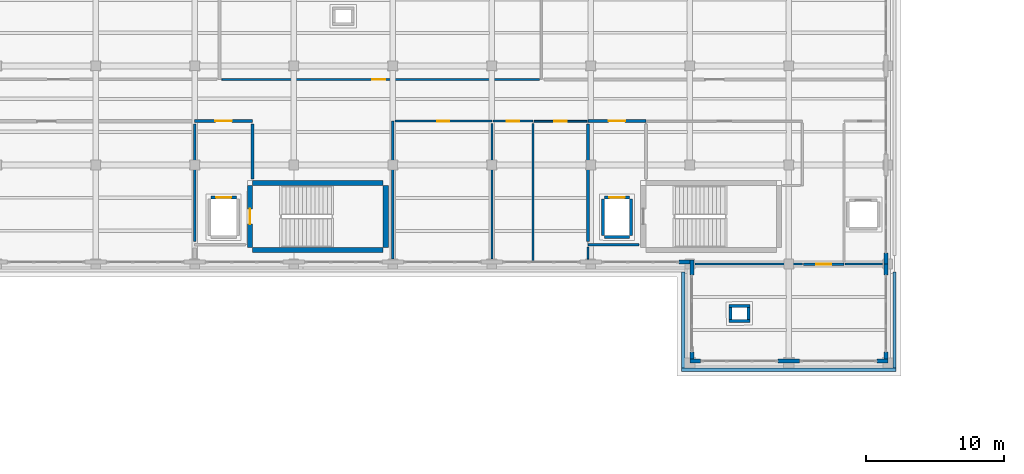
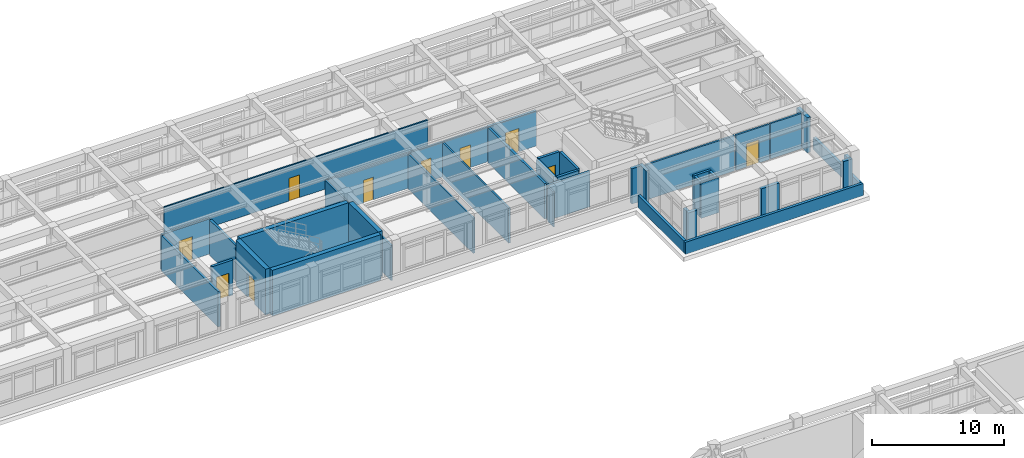
# One storey, part 50 of 64: 42 walls, 10 doors, 10 openings.
"""IFC4 building model written with IfcOpenShell, lengths in metres."""

from ifc_helpers import new_model, si_unit, direction, frame, frame_2d, origin, place, context, subcontext, project, spatial, rectangle, extrude, material, layer, layer_set, type_object, element, fill, save


model = new_model("IFC4")

# Units and contexts
model_context = context("Model", 3, precision=1e-05, world=origin(), true_north=direction((0.0, 1.0)))
body_context = subcontext(model_context, "Body", "Model", "MODEL_VIEW")
ifc_project = project(units=[si_unit("LENGTHUNIT", "METRE"), si_unit("AREAUNIT", "SQUARE_METRE"), si_unit("VOLUMEUNIT", "CUBIC_METRE"), si_unit("PLANEANGLEUNIT", "RADIAN"), si_unit("MASSUNIT", "GRAM", prefix="KILO")], contexts=[model_context])

# Site, building, storey
site_placement = place(None, origin())
site = spatial("IfcSite", under=ifc_project, at=site_placement, CompositionType="ELEMENT")
building_placement = place(site_placement, origin())
building = spatial("IfcBuilding", under=site, at=building_placement, Name="Solenvale Faculty of Natural Sciences", CompositionType="ELEMENT")
storey_placement = place(building_placement, frame((0.0, 0.0, 18.0)))
storey = spatial("IfcBuildingStorey", under=building, at=storey_placement, Name="L04", CompositionType="ELEMENT", Elevation=18.0)

# Walls
ifc_material_1 = material(Name="Precast concrete 40 MPa", Category="concrete")
ifc_layer_1 = layer(ifc_material_1, 0.284912109375)
ifc_layer_set_1 = layer_set([ifc_layer_1], Name="Precast concrete 40 MPa")
wall_type_1 = type_object("IfcWallType", Name="WL-EXT-PRC-285", PredefinedType="STANDARD", material=ifc_layer_set_1)
wall_1_placement = place(storey_placement, frame((136.800048828125, 86.54248046875, 0.0), z_axis=(0.0, 0.0, 1.0), x_axis=(1.0, 0.0, 0.0)))
element("IfcWall", 1, at=wall_1_placement, inside=storey, type_object=wall_type_1, Name="L04 Facade Closure Pier 1.B1-L", PredefinedType="STANDARD", context=body_context, shape_type="SweptSolid", body=[
    extrude(rectangle(XDim=0.787841796875, YDim=0.284912109375, at=frame_2d((0.39404296875, 0.0))), origin(), (0.0, 0.0, 1.0), 3.260009765625),
])
wall_2_placement = place(storey_placement, frame((143.2119140625, 86.54248046875, 0.0), z_axis=(0.0, 0.0, 1.0), x_axis=(1.0, 0.0, 0.0)))
element("IfcWall", 2, at=wall_2_placement, inside=storey, type_object=wall_type_1, Name="L04 Facade Closure Pier 1.B1-R", PredefinedType="STANDARD", context=body_context, shape_type="SweptSolid", body=[
    extrude(rectangle(XDim=1.576171875, YDim=0.284912109375, at=frame_2d((0.7880859375, 0.0))), origin(), (0.0, 0.0, 1.0), 3.260009765625),
])
wall_3_placement = place(storey_placement, frame((150.412109375, 86.54248046875, 0.0), z_axis=(0.0, 0.0, 1.0), x_axis=(1.0, 0.0, 0.0)))
element("IfcWall", 3, at=wall_3_placement, inside=storey, type_object=wall_type_1, Name="L04 Facade Closure Pier 1.B2-R", PredefinedType="STANDARD", context=body_context, shape_type="SweptSolid", body=[
    extrude(rectangle(XDim=0.787841796875, YDim=0.284912109375, at=frame_2d((0.39404296875, 0.0))), origin(), (0.0, 0.0, 1.0), 3.260009765625),
])
wall_4_placement = place(storey_placement, frame((151.0576171875, 86.68505859375, 0.0), z_axis=(0.0, 0.0, 1.0), x_axis=(0.0, 1.0, 0.0)))
element("IfcWall", 4, at=wall_4_placement, inside=storey, type_object=wall_type_1, Name="L04 Facade Closure Pier 2.B1-L", PredefinedType="STANDARD", context=body_context, shape_type="SweptSolid", body=[
    extrude(rectangle(XDim=0.5029296875, YDim=0.284912109375, at=frame_2d((0.25146484375, 0.0))), origin(), (0.0, 0.0, 1.0), 3.260009765625),
])
wall_5_placement = place(storey_placement, frame((151.0576171875, 92.81201171875, 0.0), z_axis=(0.0, 0.0, 1.0), x_axis=(0.0, 1.0, 0.0)))
element("IfcWall", 5, at=wall_5_placement, inside=storey, type_object=wall_type_1, Name="L04 Facade Closure Pier 2.B1-R", PredefinedType="STANDARD", context=body_context, shape_type="SweptSolid", body=[
    extrude(rectangle(XDim=0.7880859375, YDim=0.284912109375, at=frame_2d((0.39404296875, 0.0))), origin(), (0.0, 0.0, 1.0), 3.260009765625),
])
wall_6_placement = place(storey_placement, frame((151.0576171875, 93.60009765625, 0.0), z_axis=(0.0, 0.0, 1.0), x_axis=(0.0, 1.0, 0.0)))
element("IfcWall", 6, at=wall_6_placement, inside=storey, type_object=wall_type_1, Name="L04 Facade Closure Pier 3.B1-L", PredefinedType="STANDARD", context=body_context, shape_type="SweptSolid", body=[
    extrude(rectangle(XDim=0.787841796875, YDim=0.284912109375, at=frame_2d((0.39404296875, 0.0))), origin(), (0.0, 0.0, 1.0), 3.260009765625),
])
wall_7_placement = place(storey_placement, frame((136.011962890625, 93.742431640625, 0.0), z_axis=(0.0, 0.0, 1.0), x_axis=(1.0, 0.0, 0.0)))
element("IfcWall", 7, at=wall_7_placement, inside=storey, type_object=wall_type_1, Name="L04 Facade Closure Pier 6.B8-R", PredefinedType="STANDARD", context=body_context, shape_type="SweptSolid", body=[
    extrude(rectangle(XDim=0.7880859375, YDim=0.284912109375, at=frame_2d((0.39404296875, 0.0))), origin(), (0.0, 0.0, 1.0), 3.260009765625),
])
wall_8_placement = place(storey_placement, frame((136.9423828125, 93.885009765625, 0.0), z_axis=(0.0, 0.0, 1.0), x_axis=(0.0, -1.0, 0.0)))
element("IfcWall", 8, at=wall_8_placement, inside=storey, type_object=wall_type_1, Name="L04 Facade Closure Pier 7.B1-L", PredefinedType="STANDARD", context=body_context, shape_type="SweptSolid", body=[
    extrude(rectangle(XDim=1.072998046875, YDim=0.284912109375, at=frame_2d((0.53662109375, 0.0))), origin(), (0.0, 0.0, 1.0), 3.260009765625),
])
wall_9_placement = place(storey_placement, frame((136.9423828125, 87.18798828125, 0.0), z_axis=(0.0, 0.0, 1.0), x_axis=(0.0, -1.0, 0.0)))
element("IfcWall", 9, at=wall_9_placement, inside=storey, type_object=wall_type_1, Name="L04 Facade Closure Pier 7.B1-R", PredefinedType="STANDARD", context=body_context, shape_type="SweptSolid", body=[
    extrude(rectangle(XDim=0.5029296875, YDim=0.284912109375, at=frame_2d((0.25146484375, 0.0))), origin(), (0.0, 0.0, 1.0), 3.260009765625),
])

# Wall, opening, door
ifc_material_2 = material(Name="Gypsum fire-rated shaftwall")
ifc_layer_2 = layer(ifc_material_2, 0.205078125)
ifc_layer_set_2 = layer_set([ifc_layer_2], Name="Gypsum fire-rated shaftwall")
wall_type_2 = type_object("IfcWallType", Name="WL-FFL-205", PredefinedType="PARTITIONING", material=ifc_layer_set_2)
wall_10_placement = place(storey_placement, frame((100.800048828125, 104.0, 0.0), z_axis=(0.0, 0.0, 1.0), x_axis=(1.0, 0.0, 0.0)))
wall_10 = element("IfcWall", 10, at=wall_10_placement, inside=storey, type_object=wall_type_2, Name="L04 Firefighting Lobby C4 Partition 1", PredefinedType="PARTITIONING", context=body_context, shape_type="SweptSolid", body=[
    extrude(rectangle(XDim=4.199951171875, YDim=0.205078125, at=frame_2d((2.10009765625, 0.0))), origin(), (0.0, 0.0, 1.0), 3.260009765625),
])
opening_1_placement = place(wall_10_placement, frame((1.5, 0.0, 0.0)))
opening_1 = element("IfcOpeningElement", 11, at=opening_1_placement, cuts=wall_10, Name="Opening D-L04-01", PredefinedType="OPENING", context=body_context, shape_type="SweptSolid", body=[
    extrude(rectangle(XDim=1.199951171875, YDim=2.14990234375, at=frame_2d((0.60009765625, 1.074951171875))), frame((0.0, 0.112548828125, 0.0), z_axis=(0.0, -1.0, 0.0), x_axis=(1.0, 0.0, 0.0)), (0.0, 0.0, 1.0), 0.22509765625),
])
ifc_material_3 = material(Name="Galvanised steel S355", Category="steel")
door_type_1 = type_object("IfcDoorType", Name="DR-FFL-1200x2150", OperationType="NOTDEFINED", PredefinedType="DOOR", material=ifc_material_3)
door_1_placement = place(opening_1_placement, origin())
door_1 = element("IfcDoor", 12, at=door_1_placement, inside=storey, type_object=door_type_1, Name="L04 Firefighting Lobby C4 Door", OperationType="SINGLE_SWING_LEFT", OverallHeight=2.14990234375, OverallWidth=1.199951171875, PredefinedType="DOOR", context=body_context, shape_type="SweptSolid", body=[
    extrude(rectangle(XDim=1.199951171875, YDim=2.14990234375, at=frame_2d((0.60009765625, 1.074951171875))), frame((0.0, 0.02490234375, 0.0), z_axis=(0.0, -1.0, 0.0), x_axis=(1.0, 0.0, 0.0)), (0.0, 0.0, 1.0), 0.050048828125),
])
fill(opening_1, door_1)

# Walls
wall_11_placement = place(storey_placement, frame((105.0, 103.782958984375, 0.0), z_axis=(0.0, 0.0, 1.0), x_axis=(0.0, -1.0, 0.0)))
element("IfcWall", 13, at=wall_11_placement, inside=storey, type_object=wall_type_2, Name="L04 Firefighting Lobby C4 Partition 2", PredefinedType="PARTITIONING", context=body_context, shape_type="SweptSolid", body=[
    extrude(rectangle(XDim=3.989013671875, YDim=0.205078125, at=frame_2d((1.99462890625, 0.0))), origin(), (0.0, 0.0, 1.0), 3.260009765625),
])
wall_12_placement = place(storey_placement, frame((100.800048828125, 95.217041015625, 0.0), z_axis=(0.0, 0.0, 1.0), x_axis=(0.0, 1.0, 0.0)))
element("IfcWall", 14, at=wall_12_placement, inside=storey, type_object=wall_type_2, Name="L04 Firefighting Lobby C4 Partition 21", PredefinedType="PARTITIONING", context=body_context, shape_type="SweptSolid", body=[
    extrude(rectangle(XDim=8.56591796875, YDim=0.205078125, at=frame_2d((4.282958984375, 0.0))), origin(), (0.0, 0.0, 1.0), 3.260009765625),
])

# Wall, opening, door
wall_13_placement = place(storey_placement, frame((129.39990234375, 104.0, 0.0), z_axis=(0.0, 0.0, 1.0), x_axis=(1.0, 0.0, 0.0)))
wall_13 = element("IfcWall", 15, at=wall_13_placement, inside=storey, type_object=wall_type_2, Name="L04 Firefighting Lobby C5 Partition 1", PredefinedType="PARTITIONING", context=body_context, shape_type="SweptSolid", body=[
    extrude(rectangle(XDim=4.2001953125, YDim=0.205078125, at=frame_2d((2.10009765625, 0.0))), origin(), (0.0, 0.0, 1.0), 3.260009765625),
])
opening_2_placement = place(wall_13_placement, frame((1.5, 0.0, 0.0)))
opening_2 = element("IfcOpeningElement", 16, at=opening_2_placement, cuts=wall_13, Name="Opening D-L04-02", PredefinedType="OPENING", context=body_context, shape_type="SweptSolid", body=[
    extrude(rectangle(XDim=1.199951171875, YDim=2.14990234375, at=frame_2d((0.60009765625, 1.074951171875))), frame((0.0, 0.112548828125, 0.0), z_axis=(0.0, -1.0, 0.0), x_axis=(1.0, 0.0, 0.0)), (0.0, 0.0, 1.0), 0.22509765625),
])
door_2_placement = place(opening_2_placement, origin())
door_2 = element("IfcDoor", 17, at=door_2_placement, inside=storey, type_object=door_type_1, Name="L04 Firefighting Lobby C5 Door", OperationType="SINGLE_SWING_RIGHT", OverallHeight=2.14990234375, OverallWidth=1.199951171875, PredefinedType="DOOR", context=body_context, shape_type="SweptSolid", body=[
    extrude(rectangle(XDim=1.199951171875, YDim=2.14990234375, at=frame_2d((0.60009765625, 1.074951171875))), frame((0.0, 0.02490234375, 0.0), z_axis=(0.0, -1.0, 0.0), x_axis=(1.0, 0.0, 0.0)), (0.0, 0.0, 1.0), 0.050048828125),
])
fill(opening_2, door_2)

# Walls
wall_14_placement = place(storey_placement, frame((133.10595703125, 95.0, 0.0), z_axis=(0.0, 0.0, 1.0), x_axis=(-1.0, 0.0, 0.0)))
element("IfcWall", 18, at=wall_14_placement, inside=storey, type_object=wall_type_2, Name="L04 Firefighting Lobby C5 Partition 20", PredefinedType="PARTITIONING", context=body_context, shape_type="SweptSolid", body=[
    extrude(rectangle(XDim=3.7060546875, YDim=0.205078125, at=frame_2d((1.85302734375, 0.0))), origin(), (0.0, 0.0, 1.0), 3.260009765625),
])
wall_15_placement = place(storey_placement, frame((129.39990234375, 95.217041015625, 0.0), z_axis=(0.0, 0.0, 1.0), x_axis=(0.0, 1.0, 0.0)))
element("IfcWall", 19, at=wall_15_placement, inside=storey, type_object=wall_type_2, Name="L04 Firefighting Lobby C5 Partition 21", PredefinedType="PARTITIONING", context=body_context, shape_type="SweptSolid", body=[
    extrude(rectangle(XDim=8.56591796875, YDim=0.205078125, at=frame_2d((4.282958984375, 0.0))), origin(), (0.0, 0.0, 1.0), 3.260009765625),
])

# Wall, opening, door
ifc_material_4 = material(Name="Acoustic stud gypsum partition")
ifc_layer_3 = layer(ifc_material_4, 0.125)
ifc_layer_set_3 = layer_set([ifc_layer_3], Name="Acoustic stud gypsum partition")
wall_type_3 = type_object("IfcWallType", Name="WL-OFF-125", PredefinedType="PARTITIONING", material=ifc_layer_set_3)
wall_16_placement = place(storey_placement, frame((125.863037109375, 107.02001953125, 0.0), z_axis=(0.0, 0.0, 1.0), x_axis=(-1.0, 0.0, 0.0)))
wall_16 = element("IfcWall", 20, at=wall_16_placement, inside=storey, type_object=wall_type_3, Name="L04 Faculty Staff Office Partition 4", PredefinedType="PARTITIONING", context=body_context, shape_type="SweptSolid", body=[
    extrude(rectangle(XDim=23.095947265625, YDim=0.125, at=frame_2d((11.5478515625, 0.0))), origin(), (0.0, 0.0, 1.0), 3.260009765625),
])
opening_3_placement = place(wall_16_placement, frame((11.22802734375, 0.0, 0.0)))
opening_3 = element("IfcOpeningElement", 21, at=opening_3_placement, cuts=wall_16, Name="Opening D-L04-14", PredefinedType="OPENING", context=body_context, shape_type="SweptSolid", body=[
    extrude(rectangle(XDim=0.93994140625, YDim=2.10009765625, at=frame_2d((0.469970703125, 1.050048828125))), frame((0.0, 0.072509765625, 0.0), z_axis=(0.0, -1.0, 0.0), x_axis=(1.0, 0.0, 0.0)), (0.0, 0.0, 1.0), 0.14501953125),
])
ifc_material_5 = material(Name="Oak acoustic timber leaf", Category="wood")
door_type_2 = type_object("IfcDoorType", Name="DR-OFF-0940x2100", OperationType="NOTDEFINED", PredefinedType="DOOR", material=ifc_material_5)
door_3_placement = place(opening_3_placement, origin())
door_3 = element("IfcDoor", 22, at=door_3_placement, inside=storey, type_object=door_type_2, Name="L04 Faculty Staff Office Door", OperationType="SINGLE_SWING_RIGHT", OverallHeight=2.10009765625, OverallWidth=0.93994140625, PredefinedType="DOOR", context=body_context, shape_type="SweptSolid", body=[
    extrude(rectangle(XDim=0.93994140625, YDim=2.10009765625, at=frame_2d((0.469970703125, 1.050048828125))), frame((0.0, 0.02490234375, 0.0), z_axis=(0.0, -1.0, 0.0), x_axis=(1.0, 0.0, 0.0)), (0.0, 0.0, 1.0), 0.050048828125),
])
fill(opening_3, door_3)

wall_17_placement = place(storey_placement, frame((125.47509765625, 103.97998046875, 0.0), z_axis=(0.0, 0.0, 1.0), x_axis=(1.0, 0.0, 0.0)))
wall_17 = element("IfcWall", 23, at=wall_17_placement, inside=storey, type_object=wall_type_3, Name="L04 Instrument Preparation Room Partition 2", PredefinedType="PARTITIONING", context=body_context, shape_type="SweptSolid", body=[
    extrude(rectangle(XDim=3.850830078125, YDim=0.125, at=frame_2d((1.92529296875, 0.0))), origin(), (0.0, 0.0, 1.0), 3.260009765625),
])
opening_4_placement = place(wall_17_placement, frame((1.465087890625, 0.0, 0.0)))
opening_4 = element("IfcOpeningElement", 24, at=opening_4_placement, cuts=wall_17, Name="Opening D-L04-18", PredefinedType="OPENING", context=body_context, shape_type="SweptSolid", body=[
    extrude(rectangle(XDim=0.919921875, YDim=2.10009765625, at=frame_2d((0.4599609375, 1.050048828125))), frame((0.0, 0.072509765625, 0.0), z_axis=(0.0, -1.0, 0.0), x_axis=(1.0, 0.0, 0.0)), (0.0, 0.0, 1.0), 0.14501953125),
])
door_type_3 = type_object("IfcDoorType", Name="DR-OFF-0920x2100", OperationType="NOTDEFINED", PredefinedType="DOOR", material=ifc_material_5)
door_4_placement = place(opening_4_placement, origin())
door_4 = element("IfcDoor", 25, at=door_4_placement, inside=storey, type_object=door_type_3, Name="L04 Instrument Preparation Room Door", OperationType="SINGLE_SWING_RIGHT", OverallHeight=2.10009765625, OverallWidth=0.919921875, PredefinedType="DOOR", context=body_context, shape_type="SweptSolid", body=[
    extrude(rectangle(XDim=0.919921875, YDim=2.10009765625, at=frame_2d((0.4599609375, 1.050048828125))), frame((0.0, 0.02490234375, 0.0), z_axis=(0.0, -1.0, 0.0), x_axis=(1.0, 0.0, 0.0)), (0.0, 0.0, 1.0), 0.050048828125),
])
fill(opening_4, door_4)

# Walls
wall_18_placement = place(storey_placement, frame((129.39990234375, 94.822998046875, 0.0), z_axis=(0.0, 0.0, 1.0), x_axis=(0.0, -1.0, 0.0)))
element("IfcWall", 26, at=wall_18_placement, inside=storey, type_object=wall_type_3, Name="L04 Instrument Preparation Room Partition 20", PredefinedType="PARTITIONING", context=body_context, shape_type="SweptSolid", body=[
    extrude(rectangle(XDim=0.863037109375, YDim=0.125, at=frame_2d((0.431640625, 0.0))), origin(), (0.0, 0.0, 1.0), 3.260009765625),
])
ifc_material_6 = material(Name="Architectural bronze concrete 40 MPa", Category="concrete")
ifc_layer_4 = layer(ifc_material_6, 0.239990234375)
ifc_layer_set_4 = layer_set([ifc_layer_4], Name="Architectural bronze concrete 40 MPa")
wall_type_4 = type_object("IfcWallType", Name="WL-PAR-BRZ-240", PredefinedType="PARAPET", material=ifc_layer_set_4)
wall_19_placement = place(storey_placement, frame((151.679931640625, 93.0, 0.0), z_axis=(0.0, 0.0, 1.0), x_axis=(0.0, -1.0, 0.0)))
element("IfcWall", 27, at=wall_19_placement, inside=storey, type_object=wall_type_4, Name="L04 Tower Horizontal Concrete Band 10", PredefinedType="PARAPET", context=body_context, shape_type="SweptSolid", body=[
    extrude(rectangle(XDim=6.9599609375, YDim=0.239990234375, at=frame_2d((3.47998046875, 0.0))), origin(), (0.0, 0.0, 1.0), 1.1201171875),
])
wall_20_placement = place(storey_placement, frame((151.800048828125, 85.919921875, 0.0), z_axis=(0.0, 0.0, 1.0), x_axis=(-1.0, 0.0, 0.0)))
element("IfcWall", 28, at=wall_20_placement, inside=storey, type_object=wall_type_4, Name="L04 Tower Horizontal Concrete Band 11", PredefinedType="PARAPET", context=body_context, shape_type="SweptSolid", body=[
    extrude(rectangle(XDim=15.60009765625, YDim=0.239990234375, at=frame_2d((7.800048828125, 0.0))), origin(), (0.0, 0.0, 1.0), 1.1201171875),
])
wall_21_placement = place(storey_placement, frame((136.320068359375, 86.0400390625, 0.0), z_axis=(0.0, 0.0, 1.0), x_axis=(0.0, 1.0, 0.0)))
element("IfcWall", 29, at=wall_21_placement, inside=storey, type_object=wall_type_4, Name="L04 Tower Horizontal Concrete Band 12", PredefinedType="PARAPET", context=body_context, shape_type="SweptSolid", body=[
    extrude(rectangle(XDim=6.9599609375, YDim=0.239990234375, at=frame_2d((3.47998046875, 0.0))), origin(), (0.0, 0.0, 1.0), 1.1201171875),
])
ifc_material_7 = material(Name="Acoustic double-stud gypsum partition")
ifc_layer_5 = layer(ifc_material_7, 0.1650390625)
ifc_layer_set_5 = layer_set([ifc_layer_5], Name="Acoustic double-stud gypsum partition")
wall_type_5 = type_object("IfcWallType", Name="WL-SEM-165", PredefinedType="PARTITIONING", material=ifc_layer_set_5)
wall_22_placement = place(storey_placement, frame((137.179931640625, 93.60009765625, 0.0), z_axis=(0.0, 0.0, 1.0), x_axis=(1.0, 0.0, 0.0)))
element("IfcWall", 30, at=wall_22_placement, inside=storey, type_object=wall_type_5, Name="L04 Seminar Room Partition 3", PredefinedType="PARTITIONING", context=body_context, shape_type="SweptSolid", body=[
    extrude(rectangle(XDim=7.800048828125, YDim=0.1650390625, at=frame_2d((3.89990234375, 0.0))), origin(), (0.0, 0.0, 1.0), 3.260009765625),
])

# Wall, opening, door
wall_23_placement = place(storey_placement, frame((145.074951171875, 93.580078125, 0.0), z_axis=(0.0, 0.0, 1.0), x_axis=(1.0, 0.0, 0.0)))
wall_23 = element("IfcWall", 31, at=wall_23_placement, inside=storey, type_object=wall_type_5, Name="L04 Seminar Room Partition 20", PredefinedType="PARTITIONING", context=body_context, shape_type="SweptSolid", body=[
    extrude(rectangle(XDim=2.925048828125, YDim=0.1650390625, at=frame_2d((1.46240234375, 0.0))), origin(), (0.0, 0.0, 1.0), 3.260009765625),
])
opening_5_placement = place(wall_23_placement, frame((0.923095703125, 0.0, 0.0)))
opening_5 = element("IfcOpeningElement", 32, at=opening_5_placement, cuts=wall_23, Name="Opening D-L04-09", PredefinedType="OPENING", context=body_context, shape_type="SweptSolid", body=[
    extrude(rectangle(XDim=1.080078125, YDim=2.14990234375, at=frame_2d((0.5400390625, 1.074951171875))), frame((0.0, 0.092529296875, 0.0), z_axis=(0.0, -1.0, 0.0), x_axis=(1.0, 0.0, 0.0)), (0.0, 0.0, 1.0), 0.18505859375),
])
door_type_4 = type_object("IfcDoorType", Name="DR-SEM-1080x2150", OperationType="NOTDEFINED", PredefinedType="DOOR", material=ifc_material_5)
door_5_placement = place(opening_5_placement, origin())
door_5 = element("IfcDoor", 33, at=door_5_placement, inside=storey, type_object=door_type_4, Name="L04 Seminar Room Door", OperationType="SINGLE_SWING_LEFT", OverallHeight=2.14990234375, OverallWidth=1.080078125, PredefinedType="DOOR", context=body_context, shape_type="SweptSolid", body=[
    extrude(rectangle(XDim=1.080078125, YDim=2.14990234375, at=frame_2d((0.5400390625, 1.074951171875))), frame((0.0, 0.02490234375, 0.0), z_axis=(0.0, -1.0, 0.0), x_axis=(1.0, 0.0, 0.0)), (0.0, 0.0, 1.0), 0.050048828125),
])
fill(opening_5, door_5)

# Wall
wall_24_placement = place(storey_placement, frame((148.094970703125, 93.60009765625, 0.0), z_axis=(0.0, 0.0, 1.0), x_axis=(1.0, 0.0, 0.0)))
element("IfcWall", 34, at=wall_24_placement, inside=storey, type_object=wall_type_5, Name="L04 Seminar Room Partition 37", PredefinedType="PARTITIONING", context=body_context, shape_type="SweptSolid", body=[
    extrude(rectangle(XDim=2.72509765625, YDim=0.1650390625, at=frame_2d((1.362548828125, 0.0))), origin(), (0.0, 0.0, 1.0), 3.260009765625),
])

# Wall, opening, door
ifc_material_8 = material(Name="Concrete 40 MPa", Category="concrete")
ifc_layer_6 = layer(ifc_material_8, 0.219970703125)
ifc_layer_set_6 = layer_set([ifc_layer_6], Name="Concrete 40 MPa")
wall_type_6 = type_object("IfcWallType", Name="WL-SHF-220", PredefinedType="STANDARD", material=ifc_layer_set_6)
wall_25_placement = place(storey_placement, frame((101.97998046875, 98.429931640625, 0.0), z_axis=(0.0, 0.0, 1.0), x_axis=(1.0, 0.0, 0.0)))
wall_25 = element("IfcWall", 35, at=wall_25_placement, inside=storey, type_object=wall_type_6, Name="Elevator LF-01 L04 Shaft Wall N", PredefinedType="STANDARD", context=body_context, shape_type="SweptSolid", body=[
    extrude(rectangle(XDim=1.840087890625, YDim=0.219970703125, at=frame_2d((0.919921875, 0.0))), origin(), (0.0, 0.0, 1.0), 3.260009765625),
])
opening_6_placement = place(wall_25_placement, frame((0.3701171875, 0.0, 0.0)))
opening_6 = element("IfcOpeningElement", 36, at=opening_6_placement, cuts=wall_25, Name="Opening LD-LF-01-L04", PredefinedType="OPENING", context=body_context, shape_type="SweptSolid", body=[
    extrude(rectangle(XDim=1.10009765625, YDim=2.14990234375, at=frame_2d((0.550048828125, 1.074951171875))), frame((0.0, 0.119873046875, 0.0), z_axis=(0.0, -1.0, 0.0), x_axis=(1.0, 0.0, 0.0)), (0.0, 0.0, 1.0), 0.239990234375),
])
ifc_material_9 = material(Name="Stainless steel Grade 304", Category="steel")
door_type_5 = type_object("IfcDoorType", Name="DR-LIFT-1100x2150", OperationType="NOTDEFINED", PredefinedType="DOOR", material=ifc_material_9)
door_6_placement = place(opening_6_placement, origin())
door_6 = element("IfcDoor", 37, at=door_6_placement, inside=storey, type_object=door_type_5, Name="Elevator LF-01 L04 Sliding Landing Door", OperationType="SLIDING_TO_LEFT", OverallHeight=2.14990234375, OverallWidth=1.10009765625, PredefinedType="DOOR", context=body_context, shape_type="SweptSolid", body=[
    extrude(rectangle(XDim=1.10009765625, YDim=2.14990234375, at=frame_2d((0.550048828125, 1.074951171875))), frame((0.0, 0.02490234375, 0.0), z_axis=(0.0, -1.0, 0.0), x_axis=(1.0, 0.0, 0.0)), (0.0, 0.0, 1.0), 0.050048828125),
])
fill(opening_6, door_6)

# Wall
wall_26_placement = place(storey_placement, frame((130.580078125, 95.570068359375, 0.0), z_axis=(0.0, 0.0, 1.0), x_axis=(1.0, 0.0, 0.0)))
element("IfcWall", 38, at=wall_26_placement, inside=storey, type_object=wall_type_6, Name="Elevator LF-02 L04 Shaft Wall S", PredefinedType="STANDARD", context=body_context, shape_type="SweptSolid", body=[
    extrude(rectangle(XDim=1.83984375, YDim=0.219970703125, at=frame_2d((0.919921875, 0.0))), origin(), (0.0, 0.0, 1.0), 3.260009765625),
])

# Wall, opening, door
wall_27_placement = place(storey_placement, frame((130.580078125, 98.429931640625, 0.0), z_axis=(0.0, 0.0, 1.0), x_axis=(1.0, 0.0, 0.0)))
wall_27 = element("IfcWall", 39, at=wall_27_placement, inside=storey, type_object=wall_type_6, Name="Elevator LF-02 L04 Shaft Wall N", PredefinedType="STANDARD", context=body_context, shape_type="SweptSolid", body=[
    extrude(rectangle(XDim=1.83984375, YDim=0.219970703125, at=frame_2d((0.919921875, 0.0))), origin(), (0.0, 0.0, 1.0), 3.260009765625),
])
opening_7_placement = place(wall_27_placement, frame((0.3701171875, 0.0, 0.0)))
opening_7 = element("IfcOpeningElement", 40, at=opening_7_placement, cuts=wall_27, Name="Opening LD-LF-02-L04", PredefinedType="OPENING", context=body_context, shape_type="SweptSolid", body=[
    extrude(rectangle(XDim=1.10009765625, YDim=2.14990234375, at=frame_2d((0.550048828125, 1.074951171875))), frame((0.0, 0.119873046875, 0.0), z_axis=(0.0, -1.0, 0.0), x_axis=(1.0, 0.0, 0.0)), (0.0, 0.0, 1.0), 0.239990234375),
])
door_7_placement = place(opening_7_placement, origin())
door_7 = element("IfcDoor", 41, at=door_7_placement, inside=storey, type_object=door_type_5, Name="Elevator LF-02 L04 Sliding Landing Door", OperationType="SLIDING_TO_LEFT", OverallHeight=2.14990234375, OverallWidth=1.10009765625, PredefinedType="DOOR", context=body_context, shape_type="SweptSolid", body=[
    extrude(rectangle(XDim=1.10009765625, YDim=2.14990234375, at=frame_2d((0.550048828125, 1.074951171875))), frame((0.0, 0.02490234375, 0.0), z_axis=(0.0, -1.0, 0.0), x_axis=(1.0, 0.0, 0.0)), (0.0, 0.0, 1.0), 0.050048828125),
])
fill(opening_7, door_7)

# Walls
for number, where, z_axis, x_axis, name in (
    (42, (130.469970703125, 95.679931640625, 0.0), (0.0, 0.0, 1.0), (0.0, 1.0, 0.0), "Elevator LF-02 L04 Shaft Wall W"),
    (43, (132.530029296875, 95.679931640625, 0.0), (0.0, 0.0, 1.0), (0.0, 1.0, 0.0), "Elevator LF-02 L04 Shaft Wall E"),
):
    element("IfcWall", number, at=place(storey_placement, frame(where, z_axis=z_axis, x_axis=x_axis)), inside=storey, type_object=wall_type_6, Name=name, PredefinedType="STANDARD", context=body_context, shape_type="SweptSolid", body=[
        extrude(rectangle(XDim=2.64013671875, YDim=0.219970703125, at=frame_2d((1.320068359375, 0.0))), origin(), (0.0, 0.0, 1.0), 3.260009765625),
    ])
for number, where, z_axis, x_axis, name in (
    (44, (139.6298828125, 89.43994140625, 0.0), (0.0, 0.0, 1.0), (1.0, 0.0, 0.0), "L04 Service Riser Shaft 6 Wall S"),
    (45, (139.6298828125, 90.56005859375, 0.0), (0.0, 0.0, 1.0), (1.0, 0.0, 0.0), "L04 Service Riser Shaft 6 Wall N"),
):
    element("IfcWall", number, at=place(storey_placement, frame(where, z_axis=z_axis, x_axis=x_axis)), inside=storey, type_object=wall_type_6, Name=name, PredefinedType="STANDARD", context=body_context, shape_type="SweptSolid", body=[
        extrude(rectangle(XDim=1.5400390625, YDim=0.219970703125, at=frame_2d((0.77001953125, 0.0))), origin(), (0.0, 0.0, 1.0), 3.260009765625),
    ])
for number, where, z_axis, x_axis, name in (
    (46, (139.739990234375, 89.550048828125, 0.0), (0.0, 0.0, 1.0), (0.0, 1.0, 0.0), "L04 Service Riser Shaft 6 Wall W"),
    (47, (141.06005859375, 89.550048828125, 0.0), (0.0, 0.0, 1.0), (0.0, 1.0, 0.0), "L04 Service Riser Shaft 6 Wall E"),
):
    element("IfcWall", number, at=place(storey_placement, frame(where, z_axis=z_axis, x_axis=x_axis)), inside=storey, type_object=wall_type_6, Name=name, PredefinedType="STANDARD", context=body_context, shape_type="SweptSolid", body=[
        extrude(rectangle(XDim=0.89990234375, YDim=0.219970703125, at=frame_2d((0.449951171875, 0.0))), origin(), (0.0, 0.0, 1.0), 3.260009765625),
    ])
ifc_material_10 = material(Name="Concrete 50 MPa", Category="concrete")
ifc_layer_7 = layer(ifc_material_10, 0.3798828125)
ifc_layer_set_7 = layer_set([ifc_layer_7], Name="Concrete 50 MPa")
wall_type_7 = type_object("IfcWallType", Name="WL-SHR-380", PredefinedType="SHEAR", material=ifc_layer_set_7)
for number, where, z_axis, x_axis, name in (
    (48, (105.0, 94.610107421875, 0.0), (0.0, 0.0, 1.0), (1.0, 0.0, 0.0), "Core C4 L04 Shear Wall S"),
    (49, (105.0, 99.489990234375, 0.0), (0.0, 0.0, 1.0), (1.0, 0.0, 0.0), "Core C4 L04 Shear Wall N"),
):
    element("IfcWall", number, at=place(storey_placement, frame(where, z_axis=z_axis, x_axis=x_axis)), inside=storey, type_object=wall_type_7, Name=name, PredefinedType="SHEAR", context=body_context, shape_type="SweptSolid", body=[
        extrude(rectangle(XDim=9.5, YDim=0.3798828125, at=frame_2d((4.75, 0.0))), origin(), (0.0, 0.0, 1.0), 4.219970703125),
    ])

# Wall, opening, door
wall_28_placement = place(storey_placement, frame((104.81005859375, 94.800048828125, 0.0), z_axis=(0.0, 0.0, 1.0), x_axis=(0.0, 1.0, 0.0)))
wall_28 = element("IfcWall", 50, at=wall_28_placement, inside=storey, type_object=wall_type_7, Name="Core C4 L04 Shear Wall W", PredefinedType="SHEAR", context=body_context, shape_type="SweptSolid", body=[
    extrude(rectangle(XDim=4.5, YDim=0.3798828125, at=frame_2d((2.25, 0.0))), origin(), (0.0, 0.0, 1.0), 4.219970703125),
])
opening_8_placement = place(wall_28_placement, frame((1.699951171875, 0.0, 0.0)))
opening_8 = element("IfcOpeningElement", 51, at=opening_8_placement, cuts=wall_28, Name="Opening DS-C4-L04", PredefinedType="OPENING", context=body_context, shape_type="SweptSolid", body=[
    extrude(rectangle(XDim=1.10009765625, YDim=2.14990234375, at=frame_2d((0.550048828125, 1.074951171875))), frame((0.0, 0.199951171875, 0.0), z_axis=(0.0, -1.0, 0.0), x_axis=(1.0, 0.0, 0.0)), (0.0, 0.0, 1.0), 0.39990234375),
])
door_type_6 = type_object("IfcDoorType", Name="DR-STAIR-1100x2150", OperationType="NOTDEFINED", PredefinedType="DOOR", material=ifc_material_3)
door_8_placement = place(opening_8_placement, origin())
door_8 = element("IfcDoor", 52, at=door_8_placement, inside=storey, type_object=door_type_6, Name="L04 Stair ST-04 Fire Door", OperationType="SINGLE_SWING_LEFT", OverallHeight=2.14990234375, OverallWidth=1.10009765625, PredefinedType="DOOR", context=body_context, shape_type="SweptSolid", body=[
    extrude(rectangle(XDim=1.10009765625, YDim=2.14990234375, at=frame_2d((0.550048828125, 1.074951171875))), frame((0.0, 0.02490234375, 0.0), z_axis=(0.0, -1.0, 0.0), x_axis=(1.0, 0.0, 0.0)), (0.0, 0.0, 1.0), 0.050048828125),
])
fill(opening_8, door_8)

# Walls
wall_29_placement = place(storey_placement, frame((114.68994140625, 94.800048828125, 0.0), z_axis=(0.0, 0.0, 1.0), x_axis=(0.0, 1.0, 0.0)))
element("IfcWall", 53, at=wall_29_placement, inside=storey, type_object=wall_type_7, Name="Core C4 L04 Shear Wall E", PredefinedType="SHEAR", context=body_context, shape_type="SweptSolid", body=[
    extrude(rectangle(XDim=4.5, YDim=0.3798828125, at=frame_2d((2.25, 0.0))), origin(), (0.0, 0.0, 1.0), 4.219970703125),
])
ifc_material_11 = material(Name="Moisture-resistant tile partition")
ifc_layer_8 = layer(ifc_material_11, 0.14990234375)
ifc_layer_set_8 = layer_set([ifc_layer_8], Name="Moisture-resistant tile partition")
wall_type_8 = type_object("IfcWallType", Name="WL-WC-150", PredefinedType="PARTITIONING", material=ifc_layer_set_8)
wall_30_placement = place(storey_placement, frame((115.199951171875, 93.971923828125, 0.0), z_axis=(0.0, 0.0, 1.0), x_axis=(0.0, 1.0, 0.0)))
element("IfcWall", 54, at=wall_30_placement, inside=storey, type_object=wall_type_8, Name="L04 Public Washroom Partition 1", PredefinedType="PARTITIONING", context=body_context, shape_type="SweptSolid", body=[
    extrude(rectangle(XDim=10.008056640625, YDim=0.14990234375, at=frame_2d((5.00390625, 0.0))), origin(), (0.0, 0.0, 1.0), 3.260009765625),
])

# Wall, opening, door
wall_31_placement = place(storey_placement, frame((115.362060546875, 103.97998046875, 0.0), z_axis=(0.0, 0.0, 1.0), x_axis=(1.0, 0.0, 0.0)))
wall_31 = element("IfcWall", 55, at=wall_31_placement, inside=storey, type_object=wall_type_8, Name="L04 Public Washroom Partition 2", PredefinedType="PARTITIONING", context=body_context, shape_type="SweptSolid", body=[
    extrude(rectangle(XDim=7.037841796875, YDim=0.14990234375, at=frame_2d((3.51904296875, 0.0))), origin(), (0.0, 0.0, 1.0), 3.260009765625),
])
opening_9_placement = place(wall_31_placement, frame((3.0791015625, 0.0, 0.0)))
opening_9 = element("IfcOpeningElement", 56, at=opening_9_placement, cuts=wall_31, Name="Opening D-L04-16", PredefinedType="OPENING", context=body_context, shape_type="SweptSolid", body=[
    extrude(rectangle(XDim=0.8798828125, YDim=2.10009765625, at=frame_2d((0.43994140625, 1.050048828125))), frame((0.0, 0.0849609375, 0.0), z_axis=(0.0, -1.0, 0.0), x_axis=(1.0, 0.0, 0.0)), (0.0, 0.0, 1.0), 0.169921875),
])
door_type_7 = type_object("IfcDoorType", Name="DR-WC-0880x2100", OperationType="NOTDEFINED", PredefinedType="DOOR", material=ifc_material_5)
door_9_placement = place(opening_9_placement, origin())
door_9 = element("IfcDoor", 57, at=door_9_placement, inside=storey, type_object=door_type_7, Name="L04 Public Washroom Door", OperationType="SINGLE_SWING_RIGHT", OverallHeight=2.10009765625, OverallWidth=0.8798828125, PredefinedType="DOOR", context=body_context, shape_type="SweptSolid", body=[
    extrude(rectangle(XDim=0.8798828125, YDim=2.10009765625, at=frame_2d((0.43994140625, 1.050048828125))), frame((0.0, 0.02490234375, 0.0), z_axis=(0.0, -1.0, 0.0), x_axis=(1.0, 0.0, 0.0)), (0.0, 0.0, 1.0), 0.050048828125),
])
fill(opening_9, door_9)

# Wall
wall_32_placement = place(storey_placement, frame((122.39990234375, 103.818115234375, 0.0), z_axis=(0.0, 0.0, 1.0), x_axis=(0.0, -1.0, 0.0)))
element("IfcWall", 58, at=wall_32_placement, inside=storey, type_object=wall_type_8, Name="L04 Public Washroom Partition 3", PredefinedType="PARTITIONING", context=body_context, shape_type="SweptSolid", body=[
    extrude(rectangle(XDim=9.84619140625, YDim=0.14990234375, at=frame_2d((4.923095703125, 0.0))), origin(), (0.0, 0.0, 1.0), 3.260009765625),
])

# Wall, opening, door
wall_33_placement = place(storey_placement, frame((122.487060546875, 103.97998046875, 0.0), z_axis=(0.0, 0.0, 1.0), x_axis=(1.0, 0.0, 0.0)))
wall_33 = element("IfcWall", 59, at=wall_33_placement, inside=storey, type_object=wall_type_8, Name="L04 Accessible Washroom Partition 2", PredefinedType="PARTITIONING", context=body_context, shape_type="SweptSolid", body=[
    extrude(rectangle(XDim=2.912841796875, YDim=0.14990234375, at=frame_2d((1.45654296875, 0.0))), origin(), (0.0, 0.0, 1.0), 3.260009765625),
])
opening_10_placement = place(wall_33_placement, frame((1.007080078125, 0.0, 0.0)))
opening_10 = element("IfcOpeningElement", 60, at=opening_10_placement, cuts=wall_33, Name="Opening D-L04-17", PredefinedType="OPENING", context=body_context, shape_type="SweptSolid", body=[
    extrude(rectangle(XDim=0.89990234375, YDim=2.10009765625, at=frame_2d((0.449951171875, 1.050048828125))), frame((0.0, 0.0849609375, 0.0), z_axis=(0.0, -1.0, 0.0), x_axis=(1.0, 0.0, 0.0)), (0.0, 0.0, 1.0), 0.169921875),
])
door_type_8 = type_object("IfcDoorType", Name="DR-WC-0900x2100", OperationType="NOTDEFINED", PredefinedType="DOOR", material=ifc_material_5)
door_10_placement = place(opening_10_placement, origin())
door_10 = element("IfcDoor", 61, at=door_10_placement, inside=storey, type_object=door_type_8, Name="L04 Accessible Washroom Door", OperationType="SINGLE_SWING_LEFT", OverallHeight=2.10009765625, OverallWidth=0.89990234375, PredefinedType="DOOR", context=body_context, shape_type="SweptSolid", body=[
    extrude(rectangle(XDim=0.89990234375, YDim=2.10009765625, at=frame_2d((0.449951171875, 1.050048828125))), frame((0.0, 0.02490234375, 0.0), z_axis=(0.0, -1.0, 0.0), x_axis=(1.0, 0.0, 0.0)), (0.0, 0.0, 1.0), 0.050048828125),
])
fill(opening_10, door_10)

# Wall
wall_34_placement = place(storey_placement, frame((125.39990234375, 103.818115234375, 0.0), z_axis=(0.0, 0.0, 1.0), x_axis=(0.0, -1.0, 0.0)))
element("IfcWall", 62, at=wall_34_placement, inside=storey, type_object=wall_type_8, Name="L04 Accessible Washroom Partition 3", PredefinedType="PARTITIONING", context=body_context, shape_type="SweptSolid", body=[
    extrude(rectangle(XDim=10.03515625, YDim=0.14990234375, at=frame_2d((5.017578125, 0.0))), origin(), (0.0, 0.0, 1.0), 3.260009765625),
])

save(model, "model.ifc")
